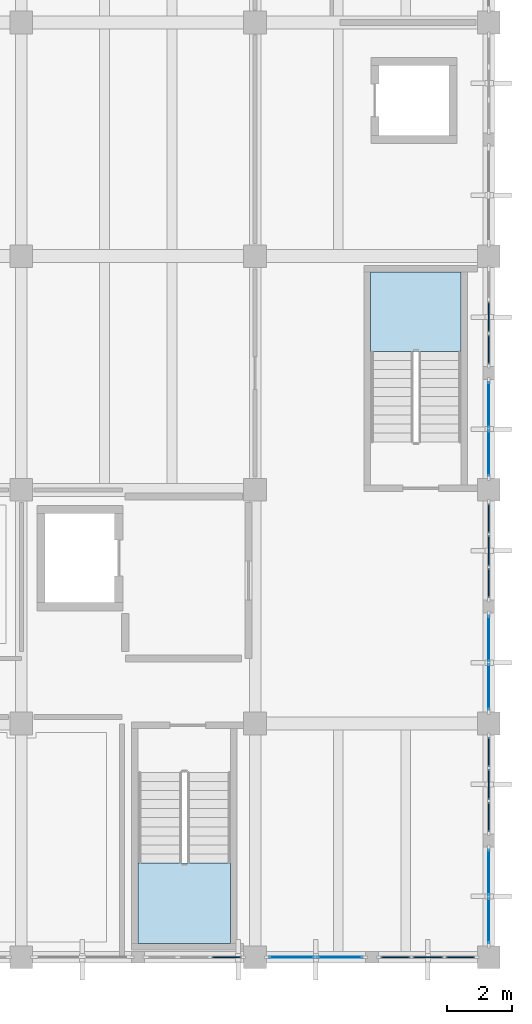
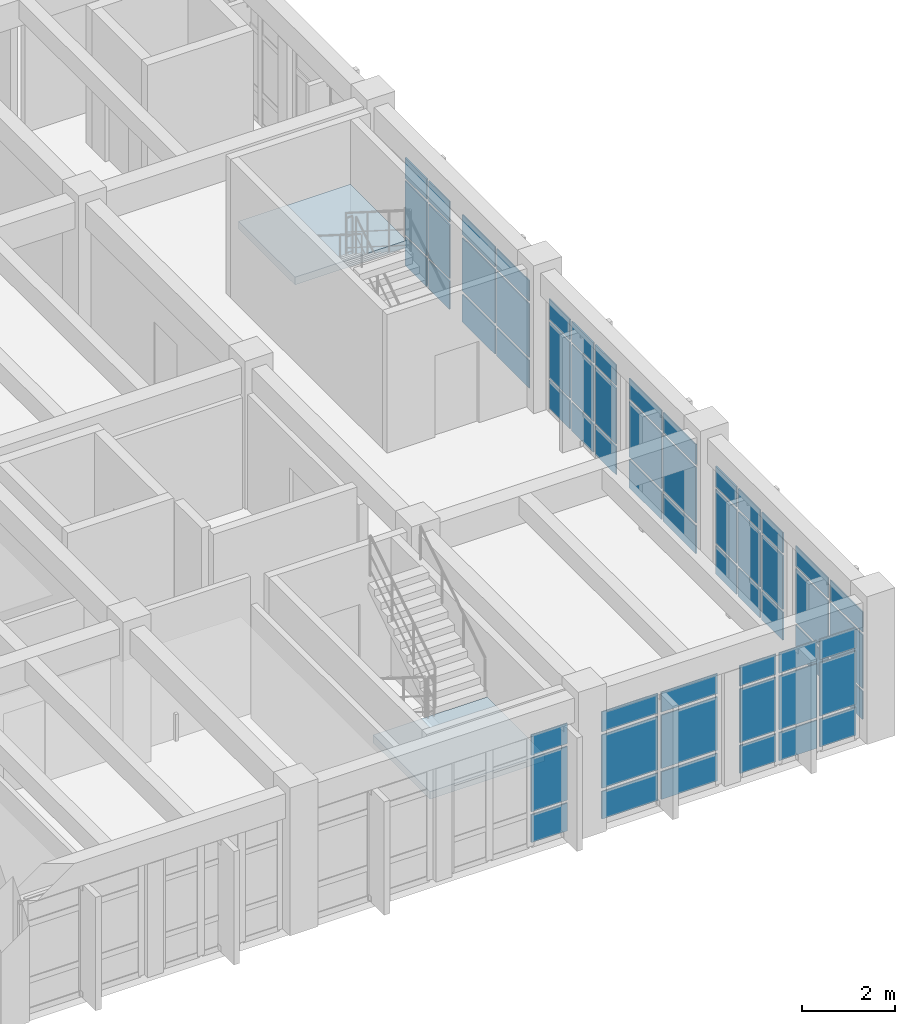
# One storey, part 27 of 54: 60 plates, 2 slabs, 11 elements without a shape of their own.
"""IFC4 building model written with IfcOpenShell, lengths in metres."""

from ifc_helpers import new_model, si_unit, direction, frame, origin, origin_2d, place, context, subcontext, project, spatial, polyline, rectangle, outline, extrude, material, layer, layer_set, type_object, element, aggregate, save


model = new_model("IFC4")

# Units and contexts
model_context = context("Model", 3, precision=1e-05, world=origin(), true_north=direction((0.0, 1.0)))
body_context = subcontext(model_context, "Body", "Model", "MODEL_VIEW")
ifc_project = project(units=[si_unit("LENGTHUNIT", "METRE"), si_unit("AREAUNIT", "SQUARE_METRE"), si_unit("VOLUMEUNIT", "CUBIC_METRE"), si_unit("PLANEANGLEUNIT", "RADIAN"), si_unit("MASSUNIT", "GRAM", prefix="KILO")], contexts=[model_context])

# Site, building, storey
site_placement = place(None, origin())
site = spatial("IfcSite", under=ifc_project, at=site_placement, CompositionType="ELEMENT")
building_placement = place(site_placement, origin())
building = spatial("IfcBuilding", under=site, at=building_placement, Name="Koriwan Promenade Central Fire Station", CompositionType="ELEMENT")
storey_placement = place(building_placement, frame((0.0, 0.0, 9.60009765625)))
storey = spatial("IfcBuildingStorey", under=building, at=storey_placement, Name="L02", CompositionType="ELEMENT", Elevation=9.60009765625)

# Curtain wall, plates
ifc_material_1 = material(Name="Aluminium EN AW-6063-T6 and low-E glazing", Category="aluminium")
ifc_layer_1 = layer(ifc_material_1, 0.159912109375, Name="Aluminium EN AW-6063-T6 and low-E glazing")
ifc_layer_set_1 = layer_set([ifc_layer_1], Name="Aluminium EN AW-6063-T6 and low-E glazing")
curtain_wall_type_1 = type_object("IfcCurtainWallType", Name="CurtainWall_10_305x299", PredefinedType="USERDEFINED", material=ifc_layer_set_1)
curtain_wall_1_placement = place(storey_placement, origin())
curtain_wall_1 = element("IfcCurtainWall", 1, at=curtain_wall_1_placement, inside=storey, type_object=curtain_wall_type_1, Name="V5 L02 unitised curtain wall 210", ObjectType="UNITISED CURTAIN WALL", PredefinedType="USERDEFINED")
ifc_material_2 = material(Name="Low-E laminated double glazing", Category="glass")
ifc_layer_2 = layer(ifc_material_2, 0.028076171875, Name="Low-E laminated double glazing")
ifc_layer_set_2 = layer_set([ifc_layer_2], Name="Low-E laminated double glazing")
plate_type_1 = type_object("IfcPlateType", Name="CWPanel_28", PredefinedType="CURTAIN_PANEL", material=ifc_layer_set_2)
plate_1_placement = place(storey_placement, frame((168.217529296875, 0.0, 0.079833984375), z_axis=(0.0, 0.0, 1.0), x_axis=(-1.0, 0.0, 0.0)))
plate_1 = element("IfcPlate", 2, at=plate_1_placement, type_object=plate_type_1, Name="CW-10 panel 1.1", PredefinedType="CURTAIN_PANEL", context=body_context, shape_type="SweptSolid", body=[
    extrude(rectangle(XDim=1.405029296875, YDim=0.028076171875, at=origin_2d()), origin(), (0.0, 0.0, 1.0), 0.72998046875),
])
plate_2_placement = place(storey_placement, frame((168.217529296875, 0.0, 0.89013671875), z_axis=(0.0, 0.0, 1.0), x_axis=(-1.0, 0.0, 0.0)))
plate_2 = element("IfcPlate", 3, at=plate_2_placement, type_object=plate_type_1, Name="CW-10 panel 1.2", PredefinedType="CURTAIN_PANEL", context=body_context, shape_type="SweptSolid", body=[
    extrude(rectangle(XDim=1.405029296875, YDim=0.028076171875, at=origin_2d()), origin(), (0.0, 0.0, 1.0), 1.409912109375),
])
plate_3_placement = place(storey_placement, frame((168.217529296875, 0.0, 2.3798828125), z_axis=(0.0, 0.0, 1.0), x_axis=(-1.0, 0.0, 0.0)))
plate_3 = element("IfcPlate", 4, at=plate_3_placement, type_object=plate_type_1, Name="CW-10 panel 1.3", PredefinedType="CURTAIN_PANEL", context=body_context, shape_type="SweptSolid", body=[
    extrude(rectangle(XDim=1.405029296875, YDim=0.028076171875, at=origin_2d()), origin(), (0.0, 0.0, 1.0), 0.530029296875),
])
plate_4_placement = place(storey_placement, frame((166.732421875, 0.0, 0.079833984375), z_axis=(0.0, 0.0, 1.0), x_axis=(-1.0, 0.0, 0.0)))
plate_4 = element("IfcPlate", 5, at=plate_4_placement, type_object=plate_type_1, Name="CW-10 panel 2.1", PredefinedType="CURTAIN_PANEL", context=body_context, shape_type="SweptSolid", body=[
    extrude(rectangle(XDim=1.405029296875, YDim=0.028076171875, at=origin_2d()), origin(), (0.0, 0.0, 1.0), 0.72998046875),
])
plate_5_placement = place(storey_placement, frame((166.732421875, 0.0, 0.89013671875), z_axis=(0.0, 0.0, 1.0), x_axis=(-1.0, 0.0, 0.0)))
plate_5 = element("IfcPlate", 6, at=plate_5_placement, type_object=plate_type_1, Name="CW-10 panel 2.2", PredefinedType="CURTAIN_PANEL", context=body_context, shape_type="SweptSolid", body=[
    extrude(rectangle(XDim=1.405029296875, YDim=0.028076171875, at=origin_2d()), origin(), (0.0, 0.0, 1.0), 1.409912109375),
])
plate_6_placement = place(storey_placement, frame((166.732421875, 0.0, 2.3798828125), z_axis=(0.0, 0.0, 1.0), x_axis=(-1.0, 0.0, 0.0)))
plate_6 = element("IfcPlate", 7, at=plate_6_placement, type_object=plate_type_1, Name="CW-10 panel 2.3", PredefinedType="CURTAIN_PANEL", context=body_context, shape_type="SweptSolid", body=[
    extrude(rectangle(XDim=1.405029296875, YDim=0.028076171875, at=origin_2d()), origin(), (0.0, 0.0, 1.0), 0.530029296875),
])
aggregate(curtain_wall_1, [plate_1, plate_2, plate_3, plate_4, plate_5, plate_6])

curtain_wall_2_placement = place(storey_placement, origin())
curtain_wall_2 = element("IfcCurtainWall", 8, at=curtain_wall_2_placement, inside=storey, type_object=curtain_wall_type_1, Name="V5 L02 unitised curtain wall 246", ObjectType="UNITISED CURTAIN WALL", PredefinedType="USERDEFINED")
plate_7_placement = place(storey_placement, frame((172.800048828125, 17.017578125, 0.079833984375), z_axis=(0.0, 0.0, 1.0), x_axis=(0.0, -1.0, 0.0)))
plate_7 = element("IfcPlate", 9, at=plate_7_placement, type_object=plate_type_1, Name="CW-10 panel 1.1", PredefinedType="CURTAIN_PANEL", context=body_context, shape_type="SweptSolid", body=[
    extrude(rectangle(XDim=1.405029296875, YDim=0.028076171875, at=origin_2d()), origin(), (0.0, 0.0, 1.0), 0.72998046875),
])
plate_8_placement = place(storey_placement, frame((172.800048828125, 17.017578125, 0.89013671875), z_axis=(0.0, 0.0, 1.0), x_axis=(0.0, -1.0, 0.0)))
plate_8 = element("IfcPlate", 10, at=plate_8_placement, type_object=plate_type_1, Name="CW-10 panel 1.2", PredefinedType="CURTAIN_PANEL", context=body_context, shape_type="SweptSolid", body=[
    extrude(rectangle(XDim=1.405029296875, YDim=0.028076171875, at=origin_2d()), origin(), (0.0, 0.0, 1.0), 1.409912109375),
])
plate_9_placement = place(storey_placement, frame((172.800048828125, 17.017578125, 2.3798828125), z_axis=(0.0, 0.0, 1.0), x_axis=(0.0, -1.0, 0.0)))
plate_9 = element("IfcPlate", 11, at=plate_9_placement, type_object=plate_type_1, Name="CW-10 panel 1.3", PredefinedType="CURTAIN_PANEL", context=body_context, shape_type="SweptSolid", body=[
    extrude(rectangle(XDim=1.405029296875, YDim=0.028076171875, at=origin_2d()), origin(), (0.0, 0.0, 1.0), 0.530029296875),
])
plate_10_placement = place(storey_placement, frame((172.800048828125, 15.532470703125, 0.079833984375), z_axis=(0.0, 0.0, 1.0), x_axis=(0.0, -1.0, 0.0)))
plate_10 = element("IfcPlate", 12, at=plate_10_placement, type_object=plate_type_1, Name="CW-10 panel 2.1", PredefinedType="CURTAIN_PANEL", context=body_context, shape_type="SweptSolid", body=[
    extrude(rectangle(XDim=1.405029296875, YDim=0.028076171875, at=origin_2d()), origin(), (0.0, 0.0, 1.0), 0.72998046875),
])
plate_11_placement = place(storey_placement, frame((172.800048828125, 15.532470703125, 0.89013671875), z_axis=(0.0, 0.0, 1.0), x_axis=(0.0, -1.0, 0.0)))
plate_11 = element("IfcPlate", 13, at=plate_11_placement, type_object=plate_type_1, Name="CW-10 panel 2.2", PredefinedType="CURTAIN_PANEL", context=body_context, shape_type="SweptSolid", body=[
    extrude(rectangle(XDim=1.405029296875, YDim=0.028076171875, at=origin_2d()), origin(), (0.0, 0.0, 1.0), 1.409912109375),
])
plate_12_placement = place(storey_placement, frame((172.800048828125, 15.532470703125, 2.3798828125), z_axis=(0.0, 0.0, 1.0), x_axis=(0.0, -1.0, 0.0)))
plate_12 = element("IfcPlate", 14, at=plate_12_placement, type_object=plate_type_1, Name="CW-10 panel 2.3", PredefinedType="CURTAIN_PANEL", context=body_context, shape_type="SweptSolid", body=[
    extrude(rectangle(XDim=1.405029296875, YDim=0.028076171875, at=origin_2d()), origin(), (0.0, 0.0, 1.0), 0.530029296875),
])
aggregate(curtain_wall_2, [plate_7, plate_8, plate_9, plate_10, plate_11, plate_12])

ifc_layer_3 = layer(ifc_material_1, 0.159912109375, Name="Aluminium EN AW-6063-T6 and low-E glazing")
ifc_layer_set_3 = layer_set([ifc_layer_3], Name="Aluminium EN AW-6063-T6 and low-E glazing")
curtain_wall_type_2 = type_object("IfcCurtainWallType", Name="CurtainWall_81_305x304", PredefinedType="USERDEFINED", material=ifc_layer_set_3)
curtain_wall_3_placement = place(storey_placement, origin())
curtain_wall_3 = element("IfcCurtainWall", 15, at=curtain_wall_3_placement, inside=storey, type_object=curtain_wall_type_2, Name="V5 L02 unitised curtain wall 248", ObjectType="UNITISED CURTAIN WALL", PredefinedType="USERDEFINED")
plate_13_placement = place(storey_placement, frame((172.800048828125, 9.8173828125, 0.079833984375), z_axis=(0.0, 0.0, 1.0), x_axis=(0.0, -1.0, 0.0)))
plate_13 = element("IfcPlate", 16, at=plate_13_placement, type_object=plate_type_1, Name="CW-81 panel 1.1", PredefinedType="CURTAIN_PANEL", context=body_context, shape_type="SweptSolid", body=[
    extrude(rectangle(XDim=1.405029296875, YDim=0.028076171875, at=origin_2d()), origin(), (0.0, 0.0, 1.0), 0.72998046875),
])
plate_14_placement = place(storey_placement, frame((172.800048828125, 9.8173828125, 0.889892578125), z_axis=(0.0, 0.0, 1.0), x_axis=(0.0, -1.0, 0.0)))
plate_14 = element("IfcPlate", 17, at=plate_14_placement, type_object=plate_type_1, Name="CW-81 panel 1.2", PredefinedType="CURTAIN_PANEL", context=body_context, shape_type="SweptSolid", body=[
    extrude(rectangle(XDim=1.405029296875, YDim=0.028076171875, at=origin_2d()), origin(), (0.0, 0.0, 1.0), 1.4599609375),
])
plate_15_placement = place(storey_placement, frame((172.800048828125, 9.8173828125, 2.4296875), z_axis=(0.0, 0.0, 1.0), x_axis=(0.0, -1.0, 0.0)))
plate_15 = element("IfcPlate", 18, at=plate_15_placement, type_object=plate_type_1, Name="CW-81 panel 1.3", PredefinedType="CURTAIN_PANEL", context=body_context, shape_type="SweptSolid", body=[
    extrude(rectangle(XDim=1.405029296875, YDim=0.028076171875, at=origin_2d()), origin(), (0.0, 0.0, 1.0), 0.530029296875),
])
plate_16_placement = place(storey_placement, frame((172.800048828125, 8.33251953125, 0.079833984375), z_axis=(0.0, 0.0, 1.0), x_axis=(0.0, -1.0, 0.0)))
plate_16 = element("IfcPlate", 19, at=plate_16_placement, type_object=plate_type_1, Name="CW-81 panel 2.1", PredefinedType="CURTAIN_PANEL", context=body_context, shape_type="SweptSolid", body=[
    extrude(rectangle(XDim=1.405029296875, YDim=0.028076171875, at=origin_2d()), origin(), (0.0, 0.0, 1.0), 0.72998046875),
])
plate_17_placement = place(storey_placement, frame((172.800048828125, 8.33251953125, 0.889892578125), z_axis=(0.0, 0.0, 1.0), x_axis=(0.0, -1.0, 0.0)))
plate_17 = element("IfcPlate", 20, at=plate_17_placement, type_object=plate_type_1, Name="CW-81 panel 2.2", PredefinedType="CURTAIN_PANEL", context=body_context, shape_type="SweptSolid", body=[
    extrude(rectangle(XDim=1.405029296875, YDim=0.028076171875, at=origin_2d()), origin(), (0.0, 0.0, 1.0), 1.4599609375),
])
plate_18_placement = place(storey_placement, frame((172.800048828125, 8.33251953125, 2.4296875), z_axis=(0.0, 0.0, 1.0), x_axis=(0.0, -1.0, 0.0)))
plate_18 = element("IfcPlate", 21, at=plate_18_placement, type_object=plate_type_1, Name="CW-81 panel 2.3", PredefinedType="CURTAIN_PANEL", context=body_context, shape_type="SweptSolid", body=[
    extrude(rectangle(XDim=1.405029296875, YDim=0.028076171875, at=origin_2d()), origin(), (0.0, 0.0, 1.0), 0.530029296875),
])
aggregate(curtain_wall_3, [plate_13, plate_14, plate_15, plate_16, plate_17, plate_18])

curtain_wall_4_placement = place(storey_placement, origin())
curtain_wall_4 = element("IfcCurtainWall", 22, at=curtain_wall_4_placement, inside=storey, type_object=curtain_wall_type_1, Name="V5 L02 unitised curtain wall 250", ObjectType="UNITISED CURTAIN WALL", PredefinedType="USERDEFINED")
plate_19_placement = place(storey_placement, frame((172.800048828125, 2.617431640625, 0.079833984375), z_axis=(0.0, 0.0, 1.0), x_axis=(0.0, -1.0, 0.0)))
plate_19 = element("IfcPlate", 23, at=plate_19_placement, type_object=plate_type_1, Name="CW-10 panel 1.1", PredefinedType="CURTAIN_PANEL", context=body_context, shape_type="SweptSolid", body=[
    extrude(rectangle(XDim=1.405029296875, YDim=0.028076171875, at=origin_2d()), origin(), (0.0, 0.0, 1.0), 0.72998046875),
])
plate_20_placement = place(storey_placement, frame((172.800048828125, 2.617431640625, 0.89013671875), z_axis=(0.0, 0.0, 1.0), x_axis=(0.0, -1.0, 0.0)))
plate_20 = element("IfcPlate", 24, at=plate_20_placement, type_object=plate_type_1, Name="CW-10 panel 1.2", PredefinedType="CURTAIN_PANEL", context=body_context, shape_type="SweptSolid", body=[
    extrude(rectangle(XDim=1.405029296875, YDim=0.028076171875, at=origin_2d()), origin(), (0.0, 0.0, 1.0), 1.409912109375),
])
plate_21_placement = place(storey_placement, frame((172.800048828125, 2.617431640625, 2.3798828125), z_axis=(0.0, 0.0, 1.0), x_axis=(0.0, -1.0, 0.0)))
plate_21 = element("IfcPlate", 25, at=plate_21_placement, type_object=plate_type_1, Name="CW-10 panel 1.3", PredefinedType="CURTAIN_PANEL", context=body_context, shape_type="SweptSolid", body=[
    extrude(rectangle(XDim=1.405029296875, YDim=0.028076171875, at=origin_2d()), origin(), (0.0, 0.0, 1.0), 0.530029296875),
])
plate_22_placement = place(storey_placement, frame((172.800048828125, 1.132568359375, 0.079833984375), z_axis=(0.0, 0.0, 1.0), x_axis=(0.0, -1.0, 0.0)))
plate_22 = element("IfcPlate", 26, at=plate_22_placement, type_object=plate_type_1, Name="CW-10 panel 2.1", PredefinedType="CURTAIN_PANEL", context=body_context, shape_type="SweptSolid", body=[
    extrude(rectangle(XDim=1.405029296875, YDim=0.028076171875, at=origin_2d()), origin(), (0.0, 0.0, 1.0), 0.72998046875),
])
plate_23_placement = place(storey_placement, frame((172.800048828125, 1.132568359375, 0.89013671875), z_axis=(0.0, 0.0, 1.0), x_axis=(0.0, -1.0, 0.0)))
plate_23 = element("IfcPlate", 27, at=plate_23_placement, type_object=plate_type_1, Name="CW-10 panel 2.2", PredefinedType="CURTAIN_PANEL", context=body_context, shape_type="SweptSolid", body=[
    extrude(rectangle(XDim=1.405029296875, YDim=0.028076171875, at=origin_2d()), origin(), (0.0, 0.0, 1.0), 1.409912109375),
])
plate_24_placement = place(storey_placement, frame((172.800048828125, 1.132568359375, 2.3798828125), z_axis=(0.0, 0.0, 1.0), x_axis=(0.0, -1.0, 0.0)))
plate_24 = element("IfcPlate", 28, at=plate_24_placement, type_object=plate_type_1, Name="CW-10 panel 2.3", PredefinedType="CURTAIN_PANEL", context=body_context, shape_type="SweptSolid", body=[
    extrude(rectangle(XDim=1.405029296875, YDim=0.028076171875, at=origin_2d()), origin(), (0.0, 0.0, 1.0), 0.530029296875),
])
aggregate(curtain_wall_4, [plate_19, plate_20, plate_21, plate_22, plate_23, plate_24])

ifc_layer_4 = layer(ifc_material_1, 0.159912109375, Name="Aluminium EN AW-6063-T6 and low-E glazing")
ifc_layer_set_4 = layer_set([ifc_layer_4], Name="Aluminium EN AW-6063-T6 and low-E glazing")
curtain_wall_type_3 = type_object("IfcCurtainWallType", Name="CurtainWall_73_305x299", PredefinedType="USERDEFINED", material=ifc_layer_set_4)
curtain_wall_5_placement = place(storey_placement, origin())
curtain_wall_5 = element("IfcCurtainWall", 29, at=curtain_wall_5_placement, inside=storey, type_object=curtain_wall_type_3, Name="V5 L02 unitised curtain wall 209", ObjectType="UNITISED CURTAIN WALL", PredefinedType="USERDEFINED")
ifc_material_3 = material(Name="Solar-control low-E acoustic glazing", Category="glass")
ifc_layer_5 = layer(ifc_material_3, 0.031982421875, Name="Solar-control low-E acoustic glazing")
ifc_layer_set_5 = layer_set([ifc_layer_5], Name="Solar-control low-E acoustic glazing")
plate_type_2 = type_object("IfcPlateType", Name="CWPanel_32", PredefinedType="CURTAIN_PANEL", material=ifc_layer_set_5)
plate_25_placement = place(storey_placement, frame((171.9228515625, 0.0, 0.07470703125), z_axis=(0.0, 0.0, 1.0), x_axis=(-1.0, 0.0, 0.0)))
plate_25 = element("IfcPlate", 30, at=plate_25_placement, type_object=plate_type_2, Name="CW-73 panel 1.1", PredefinedType="CURTAIN_PANEL", context=body_context, shape_type="SweptSolid", body=[
    extrude(rectangle(XDim=0.904052734375, YDim=0.031982421875, at=origin_2d()), origin(), (0.0, 0.0, 1.0), 0.737548828125),
])
plate_26_placement = place(storey_placement, frame((171.9228515625, 0.0, 0.887451171875), z_axis=(0.0, 0.0, 1.0), x_axis=(-1.0, 0.0, 0.0)))
plate_26 = element("IfcPlate", 31, at=plate_26_placement, type_object=plate_type_2, Name="CW-73 panel 1.2", PredefinedType="CURTAIN_PANEL", context=body_context, shape_type="SweptSolid", body=[
    extrude(rectangle(XDim=0.904052734375, YDim=0.031982421875, at=origin_2d()), origin(), (0.0, 0.0, 1.0), 1.4150390625),
])
plate_27_placement = place(storey_placement, frame((171.9228515625, 0.0, 2.37744140625), z_axis=(0.0, 0.0, 1.0), x_axis=(-1.0, 0.0, 0.0)))
plate_27 = element("IfcPlate", 32, at=plate_27_placement, type_object=plate_type_2, Name="CW-73 panel 1.3", PredefinedType="CURTAIN_PANEL", context=body_context, shape_type="SweptSolid", body=[
    extrude(rectangle(XDim=0.904052734375, YDim=0.031982421875, at=origin_2d()), origin(), (0.0, 0.0, 1.0), 0.53759765625),
])
plate_28_placement = place(storey_placement, frame((170.925048828125, 0.0, 0.07470703125), z_axis=(0.0, 0.0, 1.0), x_axis=(-1.0, 0.0, 0.0)))
plate_28 = element("IfcPlate", 33, at=plate_28_placement, type_object=plate_type_2, Name="CW-73 panel 2.1", PredefinedType="CURTAIN_PANEL", context=body_context, shape_type="SweptSolid", body=[
    extrude(rectangle(XDim=0.941650390625, YDim=0.031982421875, at=origin_2d()), origin(), (0.0, 0.0, 1.0), 0.737548828125),
])
plate_29_placement = place(storey_placement, frame((170.925048828125, 0.0, 0.887451171875), z_axis=(0.0, 0.0, 1.0), x_axis=(-1.0, 0.0, 0.0)))
plate_29 = element("IfcPlate", 34, at=plate_29_placement, type_object=plate_type_2, Name="CW-73 panel 2.2", PredefinedType="CURTAIN_PANEL", context=body_context, shape_type="SweptSolid", body=[
    extrude(rectangle(XDim=0.941650390625, YDim=0.031982421875, at=origin_2d()), origin(), (0.0, 0.0, 1.0), 1.4150390625),
])
plate_30_placement = place(storey_placement, frame((170.925048828125, 0.0, 2.37744140625), z_axis=(0.0, 0.0, 1.0), x_axis=(-1.0, 0.0, 0.0)))
plate_30 = element("IfcPlate", 35, at=plate_30_placement, type_object=plate_type_2, Name="CW-73 panel 2.3", PredefinedType="CURTAIN_PANEL", context=body_context, shape_type="SweptSolid", body=[
    extrude(rectangle(XDim=0.941650390625, YDim=0.031982421875, at=origin_2d()), origin(), (0.0, 0.0, 1.0), 0.53759765625),
])
plate_31_placement = place(storey_placement, frame((169.927001953125, 0.0, 0.07470703125), z_axis=(0.0, 0.0, 1.0), x_axis=(-1.0, 0.0, 0.0)))
plate_31 = element("IfcPlate", 36, at=plate_31_placement, type_object=plate_type_2, Name="CW-73 panel 3.1", PredefinedType="CURTAIN_PANEL", context=body_context, shape_type="SweptSolid", body=[
    extrude(rectangle(XDim=0.904052734375, YDim=0.031982421875, at=origin_2d()), origin(), (0.0, 0.0, 1.0), 0.737548828125),
])
plate_32_placement = place(storey_placement, frame((169.927001953125, 0.0, 0.887451171875), z_axis=(0.0, 0.0, 1.0), x_axis=(-1.0, 0.0, 0.0)))
plate_32 = element("IfcPlate", 37, at=plate_32_placement, type_object=plate_type_2, Name="CW-73 panel 3.2", PredefinedType="CURTAIN_PANEL", context=body_context, shape_type="SweptSolid", body=[
    extrude(rectangle(XDim=0.904052734375, YDim=0.031982421875, at=origin_2d()), origin(), (0.0, 0.0, 1.0), 1.4150390625),
])
plate_33_placement = place(storey_placement, frame((169.927001953125, 0.0, 2.37744140625), z_axis=(0.0, 0.0, 1.0), x_axis=(-1.0, 0.0, 0.0)))
plate_33 = element("IfcPlate", 38, at=plate_33_placement, type_object=plate_type_2, Name="CW-73 panel 3.3", PredefinedType="CURTAIN_PANEL", context=body_context, shape_type="SweptSolid", body=[
    extrude(rectangle(XDim=0.904052734375, YDim=0.031982421875, at=origin_2d()), origin(), (0.0, 0.0, 1.0), 0.53759765625),
])
aggregate(curtain_wall_5, [plate_25, plate_26, plate_27, plate_28, plate_29, plate_30, plate_31, plate_32, plate_33])

curtain_wall_6_placement = place(storey_placement, origin())
curtain_wall_6 = element("IfcCurtainWall", 39, at=curtain_wall_6_placement, inside=storey, type_object=curtain_wall_type_3, Name="V5 L02 unitised curtain wall 211", ObjectType="UNITISED CURTAIN WALL", PredefinedType="USERDEFINED")
plate_34_placement = place(storey_placement, frame((164.722900390625, 0.0, 0.07470703125), z_axis=(0.0, 0.0, 1.0), x_axis=(-1.0, 0.0, 0.0)))
plate_34 = element("IfcPlate", 40, at=plate_34_placement, type_object=plate_type_2, Name="CW-73 panel 1.1", PredefinedType="CURTAIN_PANEL", context=body_context, shape_type="SweptSolid", body=[
    extrude(rectangle(XDim=0.904052734375, YDim=0.031982421875, at=origin_2d()), origin(), (0.0, 0.0, 1.0), 0.737548828125),
])
plate_35_placement = place(storey_placement, frame((164.722900390625, 0.0, 0.887451171875), z_axis=(0.0, 0.0, 1.0), x_axis=(-1.0, 0.0, 0.0)))
plate_35 = element("IfcPlate", 41, at=plate_35_placement, type_object=plate_type_2, Name="CW-73 panel 1.2", PredefinedType="CURTAIN_PANEL", context=body_context, shape_type="SweptSolid", body=[
    extrude(rectangle(XDim=0.904052734375, YDim=0.031982421875, at=origin_2d()), origin(), (0.0, 0.0, 1.0), 1.4150390625),
])
plate_36_placement = place(storey_placement, frame((164.722900390625, 0.0, 2.37744140625), z_axis=(0.0, 0.0, 1.0), x_axis=(-1.0, 0.0, 0.0)))
plate_36 = element("IfcPlate", 42, at=plate_36_placement, type_object=plate_type_2, Name="CW-73 panel 1.3", PredefinedType="CURTAIN_PANEL", context=body_context, shape_type="SweptSolid", body=[
    extrude(rectangle(XDim=0.904052734375, YDim=0.031982421875, at=origin_2d()), origin(), (0.0, 0.0, 1.0), 0.53759765625),
])
aggregate(curtain_wall_6, [plate_34, plate_35, plate_36])

curtain_wall_7_placement = place(storey_placement, origin())
curtain_wall_7 = element("IfcCurtainWall", 43, at=curtain_wall_7_placement, inside=storey, type_object=curtain_wall_type_3, Name="V5 L02 unitised curtain wall 245", ObjectType="UNITISED CURTAIN WALL", PredefinedType="USERDEFINED")
plate_37_placement = place(storey_placement, frame((172.800048828125, 19.72509765625, 0.07470703125), z_axis=(0.0, 0.0, 1.0), x_axis=(0.0, -1.0, 0.0)))
plate_37 = element("IfcPlate", 44, at=plate_37_placement, type_object=plate_type_2, Name="CW-73 panel 2.1", PredefinedType="CURTAIN_PANEL", context=body_context, shape_type="SweptSolid", body=[
    extrude(rectangle(XDim=0.941650390625, YDim=0.031982421875, at=origin_2d()), origin(), (0.0, 0.0, 1.0), 0.737548828125),
])
plate_38_placement = place(storey_placement, frame((172.800048828125, 19.72509765625, 0.887451171875), z_axis=(0.0, 0.0, 1.0), x_axis=(0.0, -1.0, 0.0)))
plate_38 = element("IfcPlate", 45, at=plate_38_placement, type_object=plate_type_2, Name="CW-73 panel 2.2", PredefinedType="CURTAIN_PANEL", context=body_context, shape_type="SweptSolid", body=[
    extrude(rectangle(XDim=0.941650390625, YDim=0.031982421875, at=origin_2d()), origin(), (0.0, 0.0, 1.0), 1.4150390625),
])
plate_39_placement = place(storey_placement, frame((172.800048828125, 19.72509765625, 2.37744140625), z_axis=(0.0, 0.0, 1.0), x_axis=(0.0, -1.0, 0.0)))
plate_39 = element("IfcPlate", 46, at=plate_39_placement, type_object=plate_type_2, Name="CW-73 panel 2.3", PredefinedType="CURTAIN_PANEL", context=body_context, shape_type="SweptSolid", body=[
    extrude(rectangle(XDim=0.941650390625, YDim=0.031982421875, at=origin_2d()), origin(), (0.0, 0.0, 1.0), 0.53759765625),
])
plate_40_placement = place(storey_placement, frame((172.800048828125, 18.72705078125, 0.07470703125), z_axis=(0.0, 0.0, 1.0), x_axis=(0.0, -1.0, 0.0)))
plate_40 = element("IfcPlate", 47, at=plate_40_placement, type_object=plate_type_2, Name="CW-73 panel 3.1", PredefinedType="CURTAIN_PANEL", context=body_context, shape_type="SweptSolid", body=[
    extrude(rectangle(XDim=0.904052734375, YDim=0.031982421875, at=origin_2d()), origin(), (0.0, 0.0, 1.0), 0.737548828125),
])
plate_41_placement = place(storey_placement, frame((172.800048828125, 18.72705078125, 0.887451171875), z_axis=(0.0, 0.0, 1.0), x_axis=(0.0, -1.0, 0.0)))
plate_41 = element("IfcPlate", 48, at=plate_41_placement, type_object=plate_type_2, Name="CW-73 panel 3.2", PredefinedType="CURTAIN_PANEL", context=body_context, shape_type="SweptSolid", body=[
    extrude(rectangle(XDim=0.904052734375, YDim=0.031982421875, at=origin_2d()), origin(), (0.0, 0.0, 1.0), 1.4150390625),
])
plate_42_placement = place(storey_placement, frame((172.800048828125, 18.72705078125, 2.37744140625), z_axis=(0.0, 0.0, 1.0), x_axis=(0.0, -1.0, 0.0)))
plate_42 = element("IfcPlate", 49, at=plate_42_placement, type_object=plate_type_2, Name="CW-73 panel 3.3", PredefinedType="CURTAIN_PANEL", context=body_context, shape_type="SweptSolid", body=[
    extrude(rectangle(XDim=0.904052734375, YDim=0.031982421875, at=origin_2d()), origin(), (0.0, 0.0, 1.0), 0.53759765625),
])
aggregate(curtain_wall_7, [plate_37, plate_38, plate_39, plate_40, plate_41, plate_42])

ifc_layer_6 = layer(ifc_material_1, 0.159912109375, Name="Aluminium EN AW-6063-T6 and low-E glazing")
ifc_layer_set_6 = layer_set([ifc_layer_6], Name="Aluminium EN AW-6063-T6 and low-E glazing")
curtain_wall_type_4 = type_object("IfcCurtainWallType", Name="CurtainWall_80_305x304", PredefinedType="USERDEFINED", material=ifc_layer_set_6)
curtain_wall_8_placement = place(storey_placement, origin())
curtain_wall_8 = element("IfcCurtainWall", 50, at=curtain_wall_8_placement, inside=storey, type_object=curtain_wall_type_4, Name="V5 L02 unitised curtain wall 247", ObjectType="UNITISED CURTAIN WALL", PredefinedType="USERDEFINED")
plate_43_placement = place(storey_placement, frame((172.800048828125, 13.52294921875, 0.07470703125), z_axis=(0.0, 0.0, 1.0), x_axis=(0.0, -1.0, 0.0)))
plate_43 = element("IfcPlate", 51, at=plate_43_placement, type_object=plate_type_2, Name="CW-80 panel 1.1", PredefinedType="CURTAIN_PANEL", context=body_context, shape_type="SweptSolid", body=[
    extrude(rectangle(XDim=0.904052734375, YDim=0.031982421875, at=origin_2d()), origin(), (0.0, 0.0, 1.0), 0.737548828125),
])
plate_44_placement = place(storey_placement, frame((172.800048828125, 13.52294921875, 0.88720703125), z_axis=(0.0, 0.0, 1.0), x_axis=(0.0, -1.0, 0.0)))
plate_44 = element("IfcPlate", 52, at=plate_44_placement, type_object=plate_type_2, Name="CW-80 panel 1.2", PredefinedType="CURTAIN_PANEL", context=body_context, shape_type="SweptSolid", body=[
    extrude(rectangle(XDim=0.904052734375, YDim=0.031982421875, at=origin_2d()), origin(), (0.0, 0.0, 1.0), 1.465087890625),
])
plate_45_placement = place(storey_placement, frame((172.800048828125, 13.52294921875, 2.42724609375), z_axis=(0.0, 0.0, 1.0), x_axis=(0.0, -1.0, 0.0)))
plate_45 = element("IfcPlate", 53, at=plate_45_placement, type_object=plate_type_2, Name="CW-80 panel 1.3", PredefinedType="CURTAIN_PANEL", context=body_context, shape_type="SweptSolid", body=[
    extrude(rectangle(XDim=0.904052734375, YDim=0.031982421875, at=origin_2d()), origin(), (0.0, 0.0, 1.0), 0.53759765625),
])
plate_46_placement = place(storey_placement, frame((172.800048828125, 12.52490234375, 0.07470703125), z_axis=(0.0, 0.0, 1.0), x_axis=(0.0, -1.0, 0.0)))
plate_46 = element("IfcPlate", 54, at=plate_46_placement, type_object=plate_type_2, Name="CW-80 panel 2.1", PredefinedType="CURTAIN_PANEL", context=body_context, shape_type="SweptSolid", body=[
    extrude(rectangle(XDim=0.941650390625, YDim=0.031982421875, at=origin_2d()), origin(), (0.0, 0.0, 1.0), 0.737548828125),
])
plate_47_placement = place(storey_placement, frame((172.800048828125, 12.52490234375, 0.88720703125), z_axis=(0.0, 0.0, 1.0), x_axis=(0.0, -1.0, 0.0)))
plate_47 = element("IfcPlate", 55, at=plate_47_placement, type_object=plate_type_2, Name="CW-80 panel 2.2", PredefinedType="CURTAIN_PANEL", context=body_context, shape_type="SweptSolid", body=[
    extrude(rectangle(XDim=0.941650390625, YDim=0.031982421875, at=origin_2d()), origin(), (0.0, 0.0, 1.0), 1.465087890625),
])
plate_48_placement = place(storey_placement, frame((172.800048828125, 12.52490234375, 2.42724609375), z_axis=(0.0, 0.0, 1.0), x_axis=(0.0, -1.0, 0.0)))
plate_48 = element("IfcPlate", 56, at=plate_48_placement, type_object=plate_type_2, Name="CW-80 panel 2.3", PredefinedType="CURTAIN_PANEL", context=body_context, shape_type="SweptSolid", body=[
    extrude(rectangle(XDim=0.941650390625, YDim=0.031982421875, at=origin_2d()), origin(), (0.0, 0.0, 1.0), 0.53759765625),
])
plate_49_placement = place(storey_placement, frame((172.800048828125, 11.527099609375, 0.07470703125), z_axis=(0.0, 0.0, 1.0), x_axis=(0.0, -1.0, 0.0)))
plate_49 = element("IfcPlate", 57, at=plate_49_placement, type_object=plate_type_2, Name="CW-80 panel 3.1", PredefinedType="CURTAIN_PANEL", context=body_context, shape_type="SweptSolid", body=[
    extrude(rectangle(XDim=0.904052734375, YDim=0.031982421875, at=origin_2d()), origin(), (0.0, 0.0, 1.0), 0.737548828125),
])
plate_50_placement = place(storey_placement, frame((172.800048828125, 11.527099609375, 0.88720703125), z_axis=(0.0, 0.0, 1.0), x_axis=(0.0, -1.0, 0.0)))
plate_50 = element("IfcPlate", 58, at=plate_50_placement, type_object=plate_type_2, Name="CW-80 panel 3.2", PredefinedType="CURTAIN_PANEL", context=body_context, shape_type="SweptSolid", body=[
    extrude(rectangle(XDim=0.904052734375, YDim=0.031982421875, at=origin_2d()), origin(), (0.0, 0.0, 1.0), 1.465087890625),
])
plate_51_placement = place(storey_placement, frame((172.800048828125, 11.527099609375, 2.42724609375), z_axis=(0.0, 0.0, 1.0), x_axis=(0.0, -1.0, 0.0)))
plate_51 = element("IfcPlate", 59, at=plate_51_placement, type_object=plate_type_2, Name="CW-80 panel 3.3", PredefinedType="CURTAIN_PANEL", context=body_context, shape_type="SweptSolid", body=[
    extrude(rectangle(XDim=0.904052734375, YDim=0.031982421875, at=origin_2d()), origin(), (0.0, 0.0, 1.0), 0.53759765625),
])
aggregate(curtain_wall_8, [plate_43, plate_44, plate_45, plate_46, plate_47, plate_48, plate_49, plate_50, plate_51])

curtain_wall_9_placement = place(storey_placement, origin())
curtain_wall_9 = element("IfcCurtainWall", 60, at=curtain_wall_9_placement, inside=storey, type_object=curtain_wall_type_3, Name="V5 L02 unitised curtain wall 249", ObjectType="UNITISED CURTAIN WALL", PredefinedType="USERDEFINED")
plate_52_placement = place(storey_placement, frame((172.800048828125, 6.322998046875, 0.07470703125), z_axis=(0.0, 0.0, 1.0), x_axis=(0.0, -1.0, 0.0)))
plate_52 = element("IfcPlate", 61, at=plate_52_placement, type_object=plate_type_2, Name="CW-73 panel 1.1", PredefinedType="CURTAIN_PANEL", context=body_context, shape_type="SweptSolid", body=[
    extrude(rectangle(XDim=0.904052734375, YDim=0.031982421875, at=origin_2d()), origin(), (0.0, 0.0, 1.0), 0.737548828125),
])
plate_53_placement = place(storey_placement, frame((172.800048828125, 6.322998046875, 0.887451171875), z_axis=(0.0, 0.0, 1.0), x_axis=(0.0, -1.0, 0.0)))
plate_53 = element("IfcPlate", 62, at=plate_53_placement, type_object=plate_type_2, Name="CW-73 panel 1.2", PredefinedType="CURTAIN_PANEL", context=body_context, shape_type="SweptSolid", body=[
    extrude(rectangle(XDim=0.904052734375, YDim=0.031982421875, at=origin_2d()), origin(), (0.0, 0.0, 1.0), 1.4150390625),
])
plate_54_placement = place(storey_placement, frame((172.800048828125, 6.322998046875, 2.37744140625), z_axis=(0.0, 0.0, 1.0), x_axis=(0.0, -1.0, 0.0)))
plate_54 = element("IfcPlate", 63, at=plate_54_placement, type_object=plate_type_2, Name="CW-73 panel 1.3", PredefinedType="CURTAIN_PANEL", context=body_context, shape_type="SweptSolid", body=[
    extrude(rectangle(XDim=0.904052734375, YDim=0.031982421875, at=origin_2d()), origin(), (0.0, 0.0, 1.0), 0.53759765625),
])
plate_55_placement = place(storey_placement, frame((172.800048828125, 5.324951171875, 0.07470703125), z_axis=(0.0, 0.0, 1.0), x_axis=(0.0, -1.0, 0.0)))
plate_55 = element("IfcPlate", 64, at=plate_55_placement, type_object=plate_type_2, Name="CW-73 panel 2.1", PredefinedType="CURTAIN_PANEL", context=body_context, shape_type="SweptSolid", body=[
    extrude(rectangle(XDim=0.941650390625, YDim=0.031982421875, at=origin_2d()), origin(), (0.0, 0.0, 1.0), 0.737548828125),
])
plate_56_placement = place(storey_placement, frame((172.800048828125, 5.324951171875, 0.887451171875), z_axis=(0.0, 0.0, 1.0), x_axis=(0.0, -1.0, 0.0)))
plate_56 = element("IfcPlate", 65, at=plate_56_placement, type_object=plate_type_2, Name="CW-73 panel 2.2", PredefinedType="CURTAIN_PANEL", context=body_context, shape_type="SweptSolid", body=[
    extrude(rectangle(XDim=0.941650390625, YDim=0.031982421875, at=origin_2d()), origin(), (0.0, 0.0, 1.0), 1.4150390625),
])
plate_57_placement = place(storey_placement, frame((172.800048828125, 5.324951171875, 2.37744140625), z_axis=(0.0, 0.0, 1.0), x_axis=(0.0, -1.0, 0.0)))
plate_57 = element("IfcPlate", 66, at=plate_57_placement, type_object=plate_type_2, Name="CW-73 panel 2.3", PredefinedType="CURTAIN_PANEL", context=body_context, shape_type="SweptSolid", body=[
    extrude(rectangle(XDim=0.941650390625, YDim=0.031982421875, at=origin_2d()), origin(), (0.0, 0.0, 1.0), 0.53759765625),
])
plate_58_placement = place(storey_placement, frame((172.800048828125, 4.3271484375, 0.07470703125), z_axis=(0.0, 0.0, 1.0), x_axis=(0.0, -1.0, 0.0)))
plate_58 = element("IfcPlate", 67, at=plate_58_placement, type_object=plate_type_2, Name="CW-73 panel 3.1", PredefinedType="CURTAIN_PANEL", context=body_context, shape_type="SweptSolid", body=[
    extrude(rectangle(XDim=0.904052734375, YDim=0.031982421875, at=origin_2d()), origin(), (0.0, 0.0, 1.0), 0.737548828125),
])
plate_59_placement = place(storey_placement, frame((172.800048828125, 4.3271484375, 0.887451171875), z_axis=(0.0, 0.0, 1.0), x_axis=(0.0, -1.0, 0.0)))
plate_59 = element("IfcPlate", 68, at=plate_59_placement, type_object=plate_type_2, Name="CW-73 panel 3.2", PredefinedType="CURTAIN_PANEL", context=body_context, shape_type="SweptSolid", body=[
    extrude(rectangle(XDim=0.904052734375, YDim=0.031982421875, at=origin_2d()), origin(), (0.0, 0.0, 1.0), 1.4150390625),
])
plate_60_placement = place(storey_placement, frame((172.800048828125, 4.3271484375, 2.37744140625), z_axis=(0.0, 0.0, 1.0), x_axis=(0.0, -1.0, 0.0)))
plate_60 = element("IfcPlate", 69, at=plate_60_placement, type_object=plate_type_2, Name="CW-73 panel 3.3", PredefinedType="CURTAIN_PANEL", context=body_context, shape_type="SweptSolid", body=[
    extrude(rectangle(XDim=0.904052734375, YDim=0.031982421875, at=origin_2d()), origin(), (0.0, 0.0, 1.0), 0.53759765625),
])
aggregate(curtain_wall_9, [plate_52, plate_53, plate_54, plate_55, plate_56, plate_57, plate_58, plate_59, plate_60])

# Stair, slab
ifc_material_4 = material(Name="Concrete C35/45", Category="concrete")
stair_type_1 = type_object("IfcStairType", Name="Stair_HALF_22R_1350", PredefinedType="HALF_TURN_STAIR", material=ifc_material_4)
stair_1_placement = place(storey_placement, origin())
stair_1 = element("IfcStair", 70, at=stair_1_placement, inside=storey, type_object=stair_type_1, Name="L02 Protected Stair ST22", PredefinedType="HALF_TURN_STAIR")
ifc_layer_7 = layer(ifc_material_4, 0.199951171875, Name="Concrete C35/45")
ifc_layer_set_7 = layer_set([ifc_layer_7], Name="Concrete C35/45")
slab_type = type_object("IfcSlabType", Name="StairLanding_200", PredefinedType="LANDING", material=ifc_layer_set_7)
slab_1_placement = place(storey_placement, frame((0.0, 0.0, 1.75)))
slab_1 = element("IfcSlab", 71, at=slab_1_placement, type_object=slab_type, Name="ST22 landing 1", PredefinedType="LANDING", context=body_context, shape_type="SweptSolid", body=[
    extrude(outline(polyline([(162.0, 2.89990234375), (162.0, 0.429931640625), (164.85009765625, 0.429931640625), (164.85009765625, 2.89990234375), (162.0, 2.89990234375)])), origin(), (0.0, 0.0, 1.0), 0.199951171875),
])
aggregate(stair_1, [slab_1])

stair_type_2 = type_object("IfcStairType", Name="Stair_HALF_22R_1320", PredefinedType="HALF_TURN_STAIR", material=ifc_material_4)
stair_2_placement = place(storey_placement, origin())
stair_2 = element("IfcStair", 72, at=stair_2_placement, inside=storey, type_object=stair_type_2, Name="L02 Protected Stair ST27", PredefinedType="HALF_TURN_STAIR")
slab_2_placement = place(storey_placement, frame((0.0, 0.0, 1.75)))
slab_2 = element("IfcSlab", 73, at=slab_2_placement, type_object=slab_type, Name="ST27 landing 1", PredefinedType="LANDING", context=body_context, shape_type="SweptSolid", body=[
    extrude(outline(polyline([(171.949951171875, 18.669921875), (171.949951171875, 21.110107421875), (169.159912109375, 21.110107421875), (169.159912109375, 18.669921875), (171.949951171875, 18.669921875)])), origin(), (0.0, 0.0, 1.0), 0.199951171875),
])
aggregate(stair_2, [slab_2])

save(model, "model.ifc")
